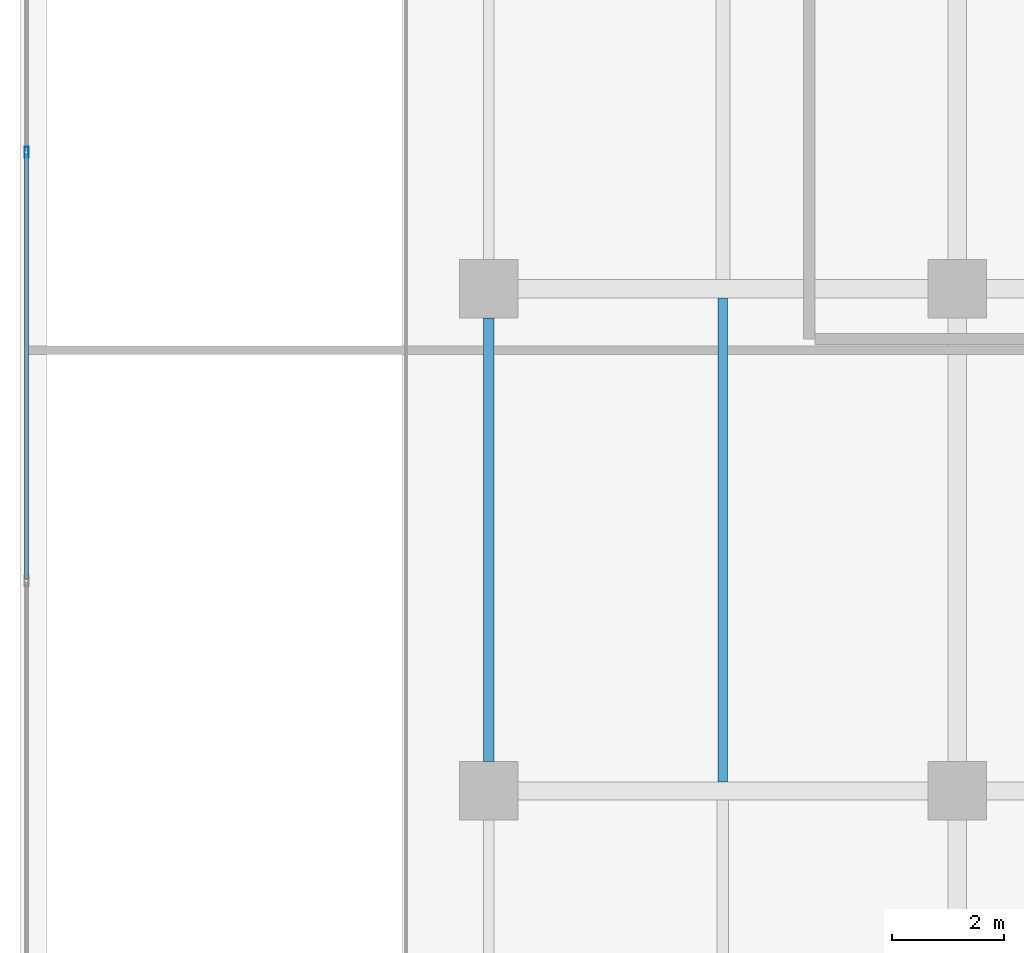
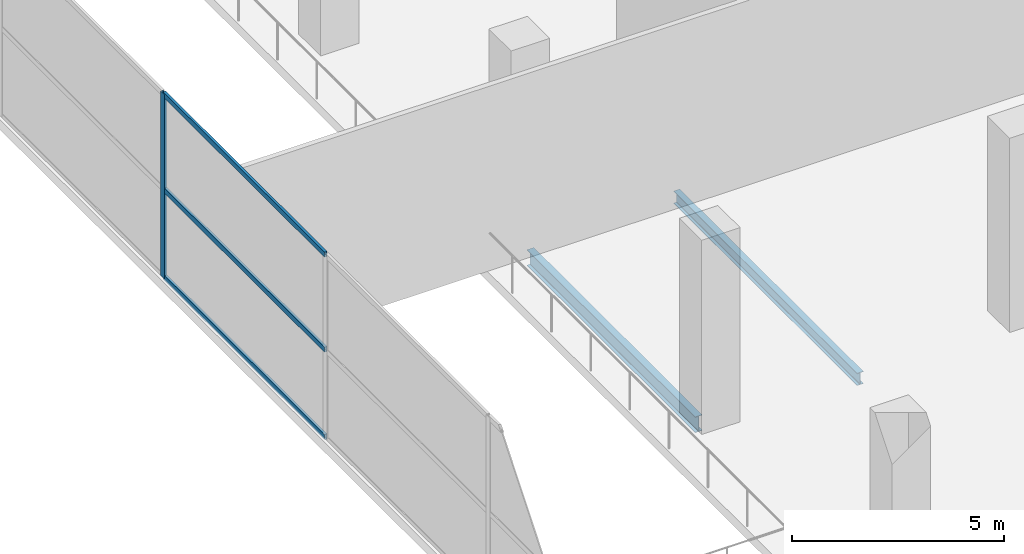
# One storey, part 11 of 35: 4 members, 2 beams, 1 element without a shape of its own.
"""IFC4 building model written with IfcOpenShell, lengths in metres."""

import ifcopenshell
import ifcopenshell.guid

model = None  # the IFC model being written
_history = None  # IfcOwnerHistory: only IFC2X3 demands one
_inside = {}  # id of a spatial element -> (the spatial element, [elements in it])
_under = {}  # id of a project, library or spatial element -> (it, [spatial elements below it])
_declared = {}  # id of a project -> (the project, [libraries it declares])
_typed = {}  # id of a type object -> (the type object, [elements of that type])
_made_of = {}  # id of a material, layer set ... -> (it, [elements and type objects made of it])


def new_model(schema):
    """Start an empty IFC model of exactly this schema.

    Asked for "IFC4X3", IfcOpenShell would pick the latest addendum, in which some entities
    have other attributes; the version numbers below select the first issue.
    IFC2X3 requires an IfcOwnerHistory on every rooted entity: one is made here for all.
    """
    global model, _history
    if schema == "IFC4X3":
        model = ifcopenshell.file(schema_version=(4, 3, 0, 0))
    else:
        model = ifcopenshell.file(schema=schema)
    _inside.clear()
    _under.clear()
    _declared.clear()
    _typed.clear()
    _made_of.clear()
    _history = None
    if model.schema == "IFC2X3":
        org = make("IfcOrganization", Name="unknown")
        user = make(
            "IfcPersonAndOrganization",
            ThePerson=make("IfcPerson", FamilyName="unknown"),
            TheOrganization=org,
        )
        app = make(
            "IfcApplication",
            ApplicationDeveloper=org,
            Version="unknown",
            ApplicationFullName="unknown",
            ApplicationIdentifier="unknown",
        )
        _history = make(
            "IfcOwnerHistory",
            OwningUser=user,
            OwningApplication=app,
            ChangeAction="ADDED",
            CreationDate=0,
        )
    return model


def make(cls, **values):
    """One entity of the class cls with the attributes given. An attribute that is None is left unset."""
    return model.create_entity(
        cls, **{name: value for name, value in values.items() if value is not None}
    )


def rooted(cls, **values):
    """An entity with a GlobalId (a new one), such as an element, a storey or a relation."""
    return make(cls, GlobalId=ifcopenshell.guid.new(), OwnerHistory=_history, **values)


def si_unit(unit_type, name, prefix=None):
    """IfcSIUnit, for example si_unit("LENGTHUNIT", "METRE", prefix="MILLI")."""
    return make("IfcSIUnit", UnitType=unit_type, Prefix=prefix, Name=name)


def assignment(units):
    """IfcUnitAssignment: the units of a project."""
    return None if units is None else make("IfcUnitAssignment", Units=units)


def point(xyz):
    """IfcCartesianPoint."""
    return None if xyz is None else make("IfcCartesianPoint", Coordinates=xyz)


def direction(xyz):
    """IfcDirection."""
    return None if xyz is None else make("IfcDirection", DirectionRatios=xyz)


def frame(location, z_axis=None, x_axis=None):
    """IfcAxis2Placement3D, a coordinate frame: its origin and axes. An axis left out is left unset."""
    return make(
        "IfcAxis2Placement3D",
        Location=point(location),
        Axis=direction(z_axis),
        RefDirection=direction(x_axis),
    )


def frame_2d(location, x_axis=None):
    """IfcAxis2Placement2D, a coordinate frame in the plane: its origin and x axis."""
    return make(
        "IfcAxis2Placement2D", Location=point(location), RefDirection=direction(x_axis)
    )


def origin():
    """The frame at (0, 0, 0) with its axes left unset."""
    return frame((0.0, 0.0, 0.0))


def origin_2d():
    """The frame at (0, 0) in the plane with its x axis left unset."""
    return frame_2d((0.0, 0.0))


def place(relative_to, where):
    """IfcLocalPlacement: puts the frame where relative to a parent placement (None: the world)."""
    return make(
        "IfcLocalPlacement", PlacementRelTo=relative_to, RelativePlacement=where
    )


def context(
    kind, dimensions, precision=None, world=None, true_north=None, identifier=None
):
    """IfcGeometricRepresentationContext, for example the 3D "Model" context."""
    return make(
        "IfcGeometricRepresentationContext",
        ContextIdentifier=identifier,
        ContextType=kind,
        CoordinateSpaceDimension=dimensions,
        Precision=precision,
        WorldCoordinateSystem=world,
        TrueNorth=true_north,
    )


def subcontext(parent, identifier, kind, view, scale=None):
    """IfcGeometricRepresentationSubContext, for example "Body" below "Model"."""
    return make(
        "IfcGeometricRepresentationSubContext",
        ContextIdentifier=identifier,
        ContextType=kind,
        ParentContext=parent,
        TargetScale=scale,
        TargetView=view,
    )


def project(units=None, contexts=None):
    """IfcProject with its units and contexts."""
    return rooted(
        "IfcProject",
        Name="project",
        RepresentationContexts=contexts,
        UnitsInContext=assignment(units),
    )


def spatial(cls, under=None, at=None, **own):
    """A site, building, storey or space (cls), placed at a placement, below another one or the project."""
    s = rooted(cls, ObjectPlacement=at, **own)
    if under is not None:
        _under.setdefault(under.id(), (under, []))[1].append(s)
    return s


def profile(cls, at=None, kind="AREA", **sizes):
    """A parametric profile (cls). Its sizes go by their IFC names, for example OverallWidth=200.0."""
    return make(cls, ProfileType=kind, Position=at, **sizes)


def hollow_rectangle(**sizes):
    """IfcRectangleHollowProfileDef."""
    return profile("IfcRectangleHollowProfileDef", **sizes)


def i_section(**sizes):
    """IfcIShapeProfileDef."""
    return profile("IfcIShapeProfileDef", **sizes)


def extrude(swept, where, along, depth):
    """IfcExtrudedAreaSolid: the profile swept, set in the frame where, extruded along a direction by depth."""
    return make(
        "IfcExtrudedAreaSolid",
        SweptArea=swept,
        Position=where,
        ExtrudedDirection=direction(along),
        Depth=depth,
    )


def shape(context_of_items, identifier, shape_type, items):
    """IfcShapeRepresentation: the items that make up one representation, for example the "Body"."""
    return make(
        "IfcShapeRepresentation",
        ContextOfItems=context_of_items,
        RepresentationIdentifier=identifier,
        RepresentationType=shape_type,
        Items=items,
    )


def material(Name=None, Category=None):
    """IfcMaterial."""
    return make("IfcMaterial", Name=Name, Category=Category)


def layer(
    of_material, thickness, ventilated=None, Name=None, Category=None, Priority=None
):
    """IfcMaterialLayer: one layer of a wall or slab, of a material (None: an air gap)."""
    return make(
        "IfcMaterialLayer",
        Material=of_material,
        LayerThickness=thickness,
        IsVentilated=ventilated,
        Name=Name,
        Category=Category,
        Priority=Priority,
    )


def layer_set(layers, Name=None):
    """IfcMaterialLayerSet."""
    return make("IfcMaterialLayerSet", MaterialLayers=layers, LayerSetName=Name)


def material_profile(
    of_material, cross_section, Name=None, Category=None, Priority=None
):
    """IfcMaterialProfile: a cross section and its material."""
    return make(
        "IfcMaterialProfile",
        Name=Name,
        Material=of_material,
        Profile=cross_section,
        Priority=Priority,
        Category=Category,
    )


def profile_set(profiles, Name=None, composite=None):
    """IfcMaterialProfileSet."""
    return make(
        "IfcMaterialProfileSet",
        Name=Name,
        MaterialProfiles=profiles,
        CompositeProfile=composite,
    )


def made_of(thing, what):
    """Note that an element or type object is made of a material, layer set ...; save() writes the relation."""
    if what is not None:
        _made_of.setdefault(what.id(), (what, []))[1].append(thing)
    return thing


def type_object(cls, material=None, **own):
    """A type object (cls), such as IfcWallType, which elements share."""
    return made_of(rooted(cls, **own), material)


def element(
    cls,
    number,
    at=None,
    inside=None,
    cuts=None,
    type_object=None,
    material=None,
    context=None,
    identifier="Body",
    shape_type=None,
    held_by="IfcProductDefinitionShape",
    body=None,
    shapes=None,
    **own,
):
    """One element of the class cls, such as IfcWall. Its Tag is "e" and its number.

    at: its placement. inside: the storey or other place that contains it. cuts: it is an
    opening in that element (IfcRelVoidsElement). A single representation is given by context,
    identifier, shape_type and body (its items); several are given by shapes. held_by: the class
    of the entity that holds the representations. save() writes the other relations.
    """
    e = rooted(cls, Tag="e%d" % number, ObjectPlacement=at, **own)
    if body is not None:
        shapes = [shape(context, identifier, shape_type, body)]
    if shapes is not None:
        e.Representation = make(held_by, Representations=shapes)
    if inside is not None:
        _inside.setdefault(inside.id(), (inside, []))[1].append(e)
    if cuts is not None:
        rooted(
            "IfcRelVoidsElement", RelatingBuildingElement=cuts, RelatedOpeningElement=e
        )
    if type_object is not None:
        _typed.setdefault(type_object.id(), (type_object, []))[1].append(e)
    return made_of(e, material)


def aggregate(whole, parts):
    """IfcRelAggregates: a whole, such as a stair, and the parts it consists of."""
    return rooted("IfcRelAggregates", RelatingObject=whole, RelatedObjects=parts)


def save(model, path):
    """Write the relations noted so far, then the file.

    IfcRelAggregates (storeys below a building ...), IfcRelContainedInSpatialStructure (elements
    in a storey), IfcRelDefinesByType, IfcRelAssociatesMaterial and IfcRelDeclares: one each for
    every whole, place, type object, material and project.
    """
    for whole, parts in _under.values():
        aggregate(whole, parts)
    for where, things in _inside.values():
        rooted(
            "IfcRelContainedInSpatialStructure",
            RelatedElements=things,
            RelatingStructure=where,
        )
    for kind, things in _typed.values():
        rooted("IfcRelDefinesByType", RelatedObjects=things, RelatingType=kind)
    for what, things in _made_of.values():
        rooted("IfcRelAssociatesMaterial", RelatedObjects=things, RelatingMaterial=what)
    for by, libraries in _declared.values():
        rooted("IfcRelDeclares", RelatingContext=by, RelatedDefinitions=libraries)
    model.write(path)


model = new_model("IFC4")

# Units and contexts
model_context = context("Model", 3, precision=1e-05, world=origin(), true_north=direction((0.0, 1.0)))
body_context = subcontext(model_context, "Body", "Model", "MODEL_VIEW")
ifc_project = project(units=[si_unit("LENGTHUNIT", "METRE"), si_unit("AREAUNIT", "SQUARE_METRE"), si_unit("VOLUMEUNIT", "CUBIC_METRE"), si_unit("PLANEANGLEUNIT", "RADIAN"), si_unit("MASSUNIT", "GRAM", prefix="KILO")], contexts=[model_context])

# Site, building, storey
site_placement = place(None, origin())
site = spatial("IfcSite", under=ifc_project, at=site_placement, CompositionType="ELEMENT")
building_placement = place(site_placement, origin())
building = spatial("IfcBuilding", under=site, at=building_placement, Name="Maruvema Waterfront Hotel and Observation Tower", CompositionType="ELEMENT")
storey_placement = place(building_placement, origin())
storey = spatial("IfcBuildingStorey", under=building, at=storey_placement, Name="L00", CompositionType="ELEMENT", Elevation=0.0)

# Curtain wall, members
ifc_material_1 = material(Name="Anodised bronze aluminium and solar-control low-E IGU", Category="aluminium")
ifc_layer = layer(ifc_material_1, 0.159912109375, Name="Podium Waterfront Storefront Curtain Wall System CW-01")
ifc_layer_set = layer_set([ifc_layer], Name="Anodised bronze aluminium and solar-control low-E IGU")
curtain_wall_type = type_object("IfcCurtainWallType", Name="Podium Waterfront Storefront Curtain Wall System CW-01", PredefinedType="USERDEFINED", material=ifc_layer_set)
curtain_wall_placement = place(storey_placement, origin())
curtain_wall = element("IfcCurtainWall", 1, at=curtain_wall_placement, inside=storey, type_object=curtain_wall_type, Name="L00 Curtain Wall CW-L00-W", ObjectType="UNITISED CURTAIN WALL", PredefinedType="USERDEFINED")
ifc_material_2 = material(Name="Anodised architectural bronze aluminium", Category="aluminium")
ifc_material_profile_1 = material_profile(ifc_material_2, hollow_rectangle(XDim=0.070068359375, YDim=0.14990234375, WallThickness=0.00390625, at=origin_2d()), Name="ALU-T70x150")
ifc_profile_set_1 = profile_set([ifc_material_profile_1], Name="Anodised architectural bronze aluminium")
member_type_1 = type_object("IfcMemberType", Name="Curtain Wall Horizontal Transom ALU-T70x150", PredefinedType="USERDEFINED", material=ifc_profile_set_1)
member_1_placement = place(storey_placement, frame((0.1201171875, 29.419921875, 0.030029296875), z_axis=(0.0, -1.0, 0.0), x_axis=(1.0, 0.0, 0.0)))
member_1 = element("IfcMember", 2, at=member_1_placement, type_object=member_type_1, Name="CW-01 transom 4.1", ObjectType="TRANSOM", PredefinedType="USERDEFINED", context=body_context, shape_type="SweptSolid", body=[
    extrude(hollow_rectangle(XDim=0.070068359375, YDim=0.14990234375, WallThickness=0.00390625, at=origin_2d()), origin(), (0.0, 0.0, 1.0), 7.623291015625),
])
member_2_placement = place(storey_placement, frame((0.1201171875, 29.419921875, 2.550048828125), z_axis=(0.0, -1.0, 0.0), x_axis=(1.0, 0.0, 0.0)))
member_2 = element("IfcMember", 3, at=member_2_placement, type_object=member_type_1, Name="CW-01 transom 4.2", ObjectType="TRANSOM", PredefinedType="USERDEFINED", context=body_context, shape_type="SweptSolid", body=[
    extrude(hollow_rectangle(XDim=0.070068359375, YDim=0.14990234375, WallThickness=0.00390625, at=origin_2d()), origin(), (0.0, 0.0, 1.0), 7.623291015625),
])
member_3_placement = place(storey_placement, frame((0.1201171875, 29.419921875, 5.2900390625), z_axis=(0.0, -1.0, 0.0), x_axis=(1.0, 0.0, 0.0)))
member_3 = element("IfcMember", 4, at=member_3_placement, type_object=member_type_1, Name="CW-01 transom 4.3", ObjectType="TRANSOM", PredefinedType="USERDEFINED", context=body_context, shape_type="SweptSolid", body=[
    extrude(hollow_rectangle(XDim=0.070068359375, YDim=0.14990234375, WallThickness=0.00390625, at=origin_2d()), origin(), (0.0, 0.0, 1.0), 7.623291015625),
])

# Beam
ifc_material_3 = material(Name="Steel ASTM A572 Grade 50", Category="steel")
ifc_material_profile_2 = material_profile(ifc_material_3, i_section(OverallWidth=0.18994140625, OverallDepth=0.45703125, WebThickness=0.009033203125, FlangeThickness=0.014404296875, FilletRadius=0.014892578125, at=origin_2d()), Name="W460x74.0")
ifc_profile_set_2 = profile_set([ifc_material_profile_2], Name="Steel ASTM A572 Grade 50")
beam_type_1 = type_object("IfcBeamType", Name="Perimeter Spandrel Beam W460x74.0", PredefinedType="SPANDREL", material=ifc_profile_set_2)
beam_1_placement = place(storey_placement, frame((8.39990234375, 18.52490234375, -0.508544921875), z_axis=(0.0, 1.0, 0.0), x_axis=(-1.0, 0.0, 0.0)))
element("IfcBeam", 5, at=beam_1_placement, inside=storey, type_object=beam_type_1, Name="L00 Floor Girder NS-03", PredefinedType="SPANDREL", context=body_context, shape_type="SweptSolid", body=[
    extrude(i_section(OverallWidth=0.18994140625, OverallDepth=0.45703125, WebThickness=0.009033203125, FlangeThickness=0.014404296875, FilletRadius=0.014892578125, at=origin_2d()), origin(), (0.0, 0.0, 1.0), 7.9501953125),
])

# Member
ifc_material_4 = material(Name="Anodised architectural bronze aluminium", Category="aluminium")
ifc_material_profile_3 = material_profile(ifc_material_4, hollow_rectangle(XDim=0.070068359375, YDim=0.18994140625, WallThickness=0.00390625, at=origin_2d()), Name="ALU-M70x190")
ifc_profile_set_3 = profile_set([ifc_material_profile_3], Name="Anodised architectural bronze aluminium")
member_type_2 = type_object("IfcMemberType", Name="Podium Storefront Heavy Mullion ALU-M70x190", PredefinedType="MULLION", material=ifc_profile_set_3)
member_4_placement = place(storey_placement, frame((0.1201171875, 29.449951171875, 0.0), z_axis=(0.0, 0.0, 1.0), x_axis=(1.0, 0.0, 0.0)))
member_4 = element("IfcMember", 6, at=member_4_placement, type_object=member_type_2, Name="CW-01 mullion 4", PredefinedType="MULLION", context=body_context, shape_type="SweptSolid", body=[
    extrude(hollow_rectangle(XDim=0.070068359375, YDim=0.18994140625, WallThickness=0.00390625, at=origin_2d()), origin(), (0.0, 0.0, 1.0), 5.320068359375),
])

aggregate(curtain_wall, [member_4, member_1, member_2, member_3])

# Beam
ifc_material_5 = material(Name="Steel ASTM A572 Grade 50", Category="steel")
ifc_material_profile_4 = material_profile(ifc_material_5, i_section(OverallWidth=0.1708984375, OverallDepth=0.35498046875, WebThickness=0.007080078125, FlangeThickness=0.01171875, FilletRadius=0.014892578125, at=origin_2d()), Name="W360x51.0")
ifc_profile_set_4 = profile_set([ifc_material_profile_4], Name="Steel ASTM A572 Grade 50")
beam_type_2 = type_object("IfcBeamType", Name="Secondary Floor Joist W360x51.0", PredefinedType="JOIST", material=ifc_profile_set_4)
beam_2_placement = place(storey_placement, frame((12.60009765625, 18.16455078125, -0.45751953125), z_axis=(0.0, 1.0, 0.0), x_axis=(-1.0, 0.0, 0.0)))
element("IfcBeam", 7, at=beam_2_placement, inside=storey, type_object=beam_type_2, Name="L00 Secondary Floor Joist JS-02", PredefinedType="JOIST", context=body_context, shape_type="SweptSolid", body=[
    extrude(i_section(OverallWidth=0.1708984375, OverallDepth=0.35498046875, WebThickness=0.007080078125, FlangeThickness=0.01171875, FilletRadius=0.014892578125, at=origin_2d()), origin(), (0.0, 0.0, 1.0), 8.6708984375),
])

save(model, "model.ifc")
